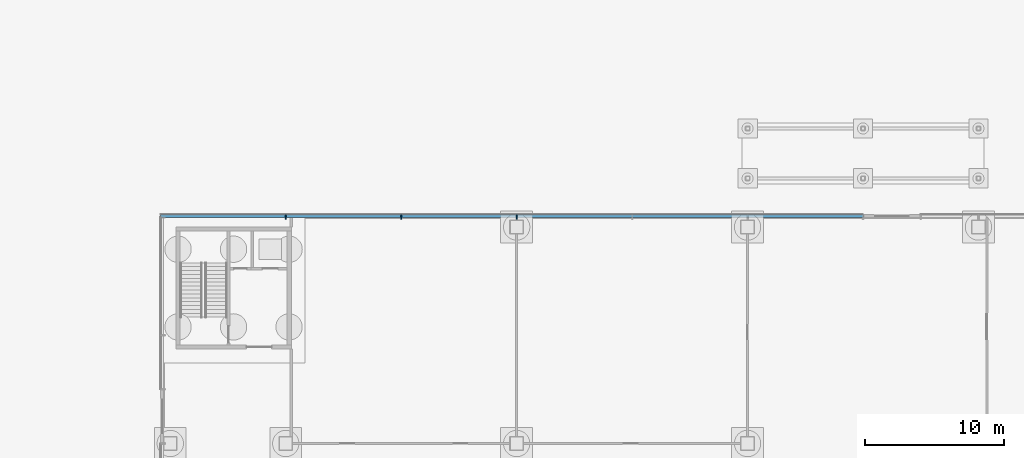
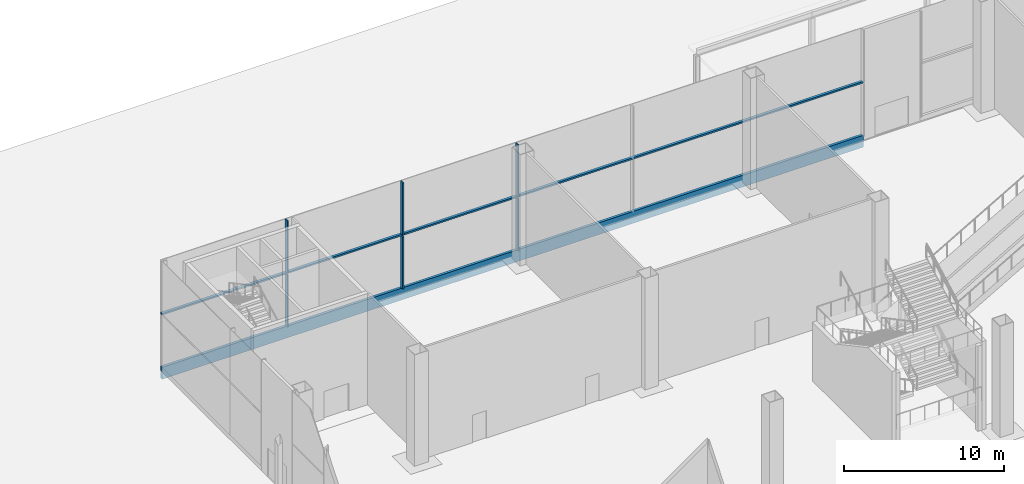
# One storey, part 26 of 113: 8 members, 1 element without a shape of its own.
"""IFC4 building model written with IfcOpenShell, lengths in metres."""

from ifc_helpers import new_model, si_unit, direction, frame, origin, origin_2d, place, context, subcontext, project, spatial, rectangle, extrude, material, layer, layer_set, material_profile, profile_set, type_object, element, aggregate, save


model = new_model("IFC4")

# Units and contexts
model_context = context("Model", 3, precision=1e-05, world=origin(), true_north=direction((0.0, 1.0)))
body_context = subcontext(model_context, "Body", "Model", "MODEL_VIEW")
ifc_project = project(units=[si_unit("LENGTHUNIT", "METRE"), si_unit("AREAUNIT", "SQUARE_METRE"), si_unit("VOLUMEUNIT", "CUBIC_METRE"), si_unit("PLANEANGLEUNIT", "RADIAN"), si_unit("MASSUNIT", "GRAM", prefix="KILO")], contexts=[model_context])

# Site, building, storey
site_placement = place(None, origin())
site = spatial("IfcSite", under=ifc_project, at=site_placement, CompositionType="ELEMENT")
building_placement = place(site_placement, origin())
building = spatial("IfcBuilding", under=site, at=building_placement, Name="Hakoniwa Tower and Hamabe Station Hall", CompositionType="ELEMENT")
storey_placement = place(building_placement, origin())
storey = spatial("IfcBuildingStorey", under=building, at=storey_placement, Name="L01", CompositionType="ELEMENT", Elevation=0.0)

# Curtain wall, members
ifc_material_1 = material(Name="Dark low-e laminated glass", Category="glass")
ifc_layer = layer(ifc_material_1, 0.199951171875)
ifc_layer_set = layer_set([ifc_layer], Name="CW-7 STATION")
curtain_wall_type = type_object("IfcCurtainWallType", Name="CW-7 STATION", PredefinedType="NOTDEFINED", material=ifc_layer_set)
curtain_wall_placement = place(storey_placement, origin())
curtain_wall = element("IfcCurtainWall", 1, at=curtain_wall_placement, inside=storey, type_object=curtain_wall_type, Name="Station curtain wall L01 north", PredefinedType="NOTDEFINED")
ifc_material_2 = material(Name="Aluminium 6063-T5 black anodised", Category="aluminium")
ifc_material_profile_1 = material_profile(ifc_material_2, rectangle(XDim=0.199951171875, YDim=0.1201171875, at=origin_2d()), Name="CW MID TRANSOM 120X200")
ifc_profile_set_1 = profile_set([ifc_material_profile_1], Name="Aluminium 6063-T5 black anodised")
member_type_1 = type_object("IfcMemberType", Name="CW MID TRANSOM 120X200", PredefinedType="USERDEFINED", material=ifc_profile_set_1)
member_1_placement = place(storey_placement, frame((135.89990234375, 24.199951171875, 4.39990234375), z_axis=(-1.0, 0.0, 0.0), x_axis=(0.0, -1.0, 0.0)))
member_1 = element("IfcMember", 2, at=member_1_placement, type_object=member_type_1, Name="CW-7 transom", ObjectType="TRANSOM", PredefinedType="USERDEFINED", context=body_context, shape_type="SweptSolid", body=[
    extrude(rectangle(XDim=0.199951171875, YDim=0.1201171875, at=origin_2d()), origin(), (0.0, 0.0, 1.0), 50.64990234375),
])
ifc_material_3 = material(Name="Aluminium 6063-T5 black anodised", Category="aluminium")
ifc_material_profile_2 = material_profile(ifc_material_3, rectangle(XDim=0.199951171875, YDim=0.89990234375, at=origin_2d()), Name="CW SLAB-EDGE BAND 900X200")
ifc_profile_set_2 = profile_set([ifc_material_profile_2], Name="Aluminium 6063-T5 black anodised")
member_type_2 = type_object("IfcMemberType", Name="CW SLAB-EDGE BAND 900X200", PredefinedType="USERDEFINED", material=ifc_profile_set_2)
member_2_placement = place(storey_placement, frame((135.89990234375, 24.199951171875, -0.10009765625), z_axis=(-1.0, 0.0, 0.0), x_axis=(0.0, -1.0, 0.0)))
member_2 = element("IfcMember", 3, at=member_2_placement, type_object=member_type_2, Name="CW-7 transom", ObjectType="TRANSOM", PredefinedType="USERDEFINED", context=body_context, shape_type="SweptSolid", body=[
    extrude(rectangle(XDim=0.199951171875, YDim=0.89990234375, at=origin_2d()), origin(), (0.0, 0.0, 1.0), 50.64990234375),
])
ifc_material_4 = material(Name="Aluminium 6063-T5 black anodised", Category="aluminium")
ifc_material_profile_3 = material_profile(ifc_material_4, rectangle(XDim=0.080078125, YDim=0.300048828125, at=origin_2d()), Name="CW-3 MULLION 80X300")
ifc_profile_set_3 = profile_set([ifc_material_profile_3], Name="Aluminium 6063-T5 black anodised")
member_type_3 = type_object("IfcMemberType", Name="CW-3 MULLION 80X300", PredefinedType="MULLION", material=ifc_profile_set_3)
member_3_placement = place(storey_placement, frame((110.909912109375, 24.1220703125, 0.35009765625), z_axis=(0.0, 0.0, 1.0), x_axis=(-1.0, 0.0, 0.0)))
member_3 = element("IfcMember", 4, at=member_3_placement, type_object=member_type_3, Name="CW-7 mullion", PredefinedType="MULLION", context=body_context, shape_type="SweptSolid", body=[
    extrude(rectangle(XDim=0.080078125, YDim=0.300048828125, at=origin_2d()), origin(), (0.0, 0.0, 1.0), 3.989990234375),
])
member_4_placement = place(storey_placement, frame((110.909912109375, 24.1220703125, 4.4599609375), z_axis=(0.0, 0.0, 1.0), x_axis=(-1.0, 0.0, 0.0)))
member_4 = element("IfcMember", 5, at=member_4_placement, type_object=member_type_3, Name="CW-7 mullion", PredefinedType="MULLION", context=body_context, shape_type="SweptSolid", body=[
    extrude(rectangle(XDim=0.080078125, YDim=0.300048828125, at=origin_2d()), origin(), (0.0, 0.0, 1.0), 3.989990234375),
])
member_5_placement = place(storey_placement, frame((102.590087890625, 24.1220703125, 0.35009765625), z_axis=(0.0, 0.0, 1.0), x_axis=(-1.0, 0.0, 0.0)))
member_5 = element("IfcMember", 6, at=member_5_placement, type_object=member_type_3, Name="CW-7 mullion", PredefinedType="MULLION", context=body_context, shape_type="SweptSolid", body=[
    extrude(rectangle(XDim=0.080078125, YDim=0.300048828125, at=origin_2d()), origin(), (0.0, 0.0, 1.0), 3.989990234375),
])
member_6_placement = place(storey_placement, frame((102.590087890625, 24.1220703125, 4.4599609375), z_axis=(0.0, 0.0, 1.0), x_axis=(-1.0, 0.0, 0.0)))
member_6 = element("IfcMember", 7, at=member_6_placement, type_object=member_type_3, Name="CW-7 mullion", PredefinedType="MULLION", context=body_context, shape_type="SweptSolid", body=[
    extrude(rectangle(XDim=0.080078125, YDim=0.300048828125, at=origin_2d()), origin(), (0.0, 0.0, 1.0), 3.989990234375),
])
member_7_placement = place(storey_placement, frame((94.27001953125, 24.1220703125, 0.35009765625), z_axis=(0.0, 0.0, 1.0), x_axis=(-1.0, 0.0, 0.0)))
member_7 = element("IfcMember", 8, at=member_7_placement, type_object=member_type_3, Name="CW-7 mullion", PredefinedType="MULLION", context=body_context, shape_type="SweptSolid", body=[
    extrude(rectangle(XDim=0.080078125, YDim=0.300048828125, at=origin_2d()), origin(), (0.0, 0.0, 1.0), 3.989990234375),
])
member_8_placement = place(storey_placement, frame((94.27001953125, 24.1220703125, 4.4599609375), z_axis=(0.0, 0.0, 1.0), x_axis=(-1.0, 0.0, 0.0)))
member_8 = element("IfcMember", 9, at=member_8_placement, type_object=member_type_3, Name="CW-7 mullion", PredefinedType="MULLION", context=body_context, shape_type="SweptSolid", body=[
    extrude(rectangle(XDim=0.080078125, YDim=0.300048828125, at=origin_2d()), origin(), (0.0, 0.0, 1.0), 3.989990234375),
])
aggregate(curtain_wall, [member_3, member_4, member_5, member_6, member_7, member_8, member_2, member_1])

save(model, "model.ifc")
